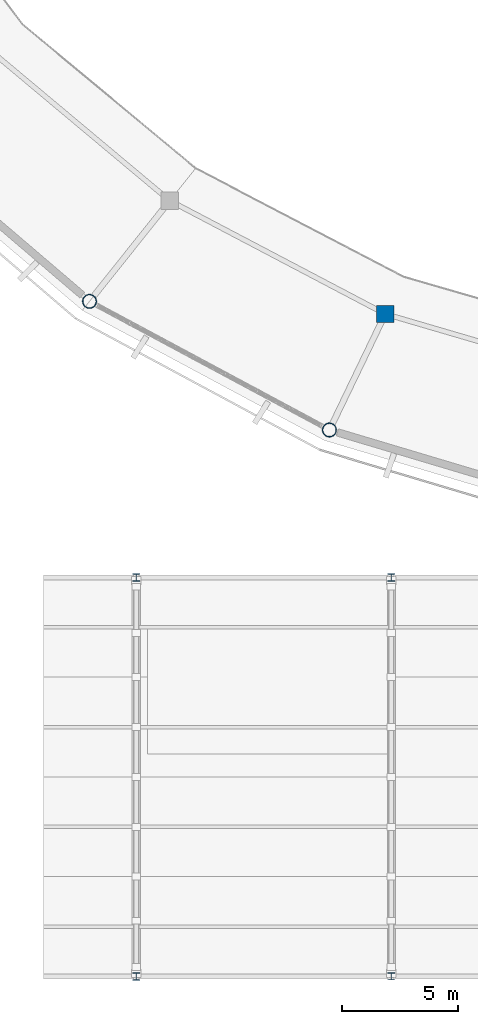
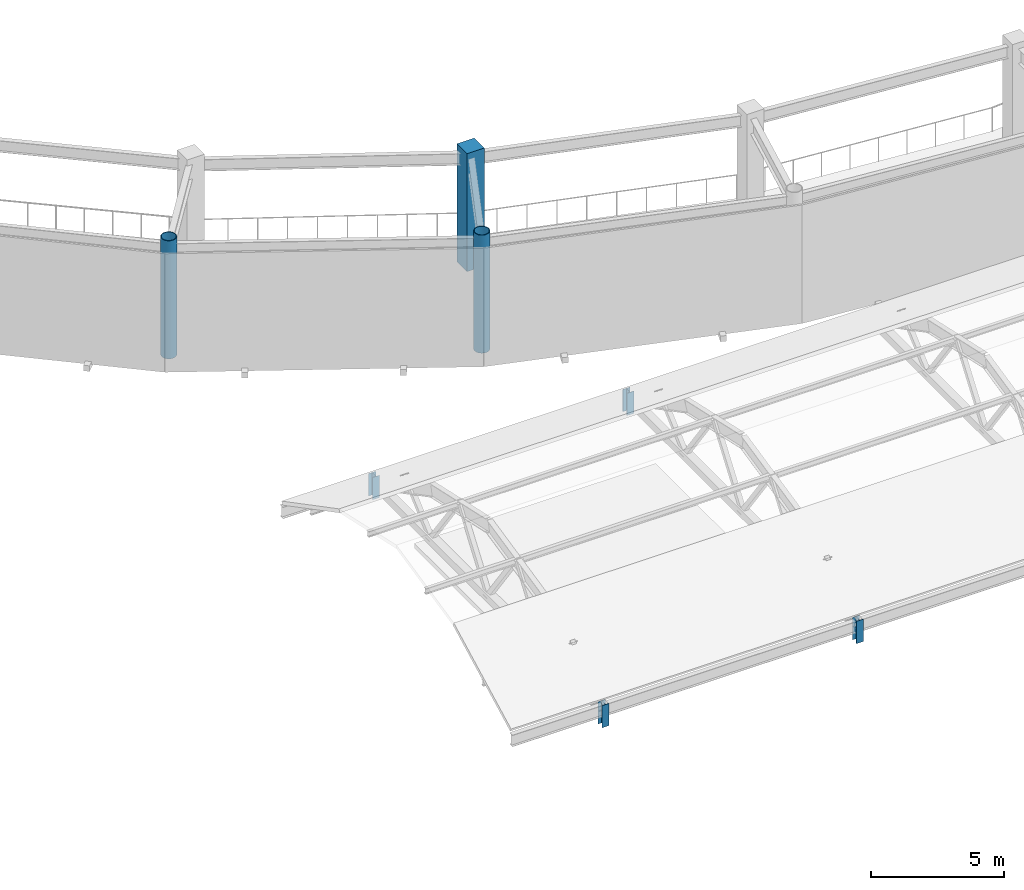
# One storey, part 2 of 70: 7 columns.
"""IFC4 building model written with IfcOpenShell, lengths in metres."""

from ifc_helpers import new_model, si_unit, direction, frame, origin, origin_2d, place, context, subcontext, project, spatial, rectangle, hollow_circle, i_section, extrude, material, material_profile, profile_set, type_object, element, save


model = new_model("IFC4")

# Units and contexts
model_context = context("Model", 3, precision=1e-05, world=origin(), true_north=direction((0.0, 1.0)))
body_context = subcontext(model_context, "Body", "Model", "MODEL_VIEW")
ifc_project = project(units=[si_unit("LENGTHUNIT", "METRE"), si_unit("AREAUNIT", "SQUARE_METRE"), si_unit("VOLUMEUNIT", "CUBIC_METRE"), si_unit("PLANEANGLEUNIT", "RADIAN"), si_unit("MASSUNIT", "GRAM", prefix="KILO")], contexts=[model_context])

# Site, building, storey
site_placement = place(None, origin())
site = spatial("IfcSite", under=ifc_project, at=site_placement, CompositionType="ELEMENT")
building_placement = place(site_placement, origin())
building = spatial("IfcBuilding", under=site, at=building_placement, Name="Cuetzalor Civic Arena", CompositionType="ELEMENT")
storey_placement = place(building_placement, frame((0.0, 0.0, 21.0)))
storey = spatial("IfcBuildingStorey", under=building, at=storey_placement, Name="L04", CompositionType="ELEMENT", Elevation=21.0)

# Columns
ifc_material_1 = material(Name="Concrete C40/50", Category="concrete")
ifc_material_profile_1 = material_profile(ifc_material_1, rectangle(XDim=0.75, YDim=0.75, at=origin_2d()), Name="RC 750x750")
ifc_profile_set_1 = profile_set([ifc_material_profile_1], Name="Concrete C40/50")
column_type_1 = type_object("IfcColumnType", Name="ConcreteColumn_750", PredefinedType="COLUMN", material=ifc_profile_set_1)
column_placement = place(storey_placement, frame((-21.26025390625, -36.939697265625, 0.0), z_axis=(0.0, 0.0, 1.0), x_axis=(1.0, 0.0, 0.0)))
element("IfcColumn", 1, at=column_placement, inside=storey, type_object=column_type_1, Name="Column V1-REC-20 L04", PredefinedType="COLUMN", context=body_context, shape_type="SweptSolid", body=[
    extrude(rectangle(XDim=0.75, YDim=0.75, at=origin_2d()), origin(), (0.0, 0.0, 1.0), 5.39990234375),
])
ifc_material_2 = material(Name="Steel S355", Category="steel")
ifc_material_profile_2 = material_profile(ifc_material_2, hollow_circle(Radius=0.304931640625, WallThickness=0.02490234375, at=origin_2d()), Name="CHS 610x25")
ifc_profile_set_2 = profile_set([ifc_material_profile_2], Name="Steel S355")
column_type_2 = type_object("IfcColumnType", Name="SteelDomePylon_CHS610", PredefinedType="COLUMN", material=ifc_profile_set_2)
for number, where, z_axis, x_axis, name in (
    (2, (-34.011474609375, -36.394287109375, 0.0), (0.0, 0.0, 1.0), (1.0, 0.0, 0.0), "Column V1-PYL-19 L04"),
    (3, (-23.66845703125, -41.940185546875, 0.0), (0.0, 0.0, 1.0), (1.0, 0.0, 0.0), "Column V1-PYL-20 L04"),
):
    element("IfcColumn", number, at=place(storey_placement, frame(where, z_axis=z_axis, x_axis=x_axis)), inside=storey, type_object=column_type_2, Name=name, PredefinedType="COLUMN", context=body_context, shape_type="SweptSolid", body=[
        extrude(hollow_circle(Radius=0.304931640625, WallThickness=0.02490234375, at=origin_2d()), origin(), (0.0, 0.0, 1.0), 5.39990234375),
    ])
ifc_material_3 = material(Name="Steel S355", Category="steel")
ifc_material_profile_3 = material_profile(ifc_material_3, i_section(OverallWidth=0.304931640625, OverallDepth=0.30810546875, WebThickness=0.010009765625, FlangeThickness=0.015380859375, at=origin_2d()), Name="W310x97")
ifc_profile_set_3 = profile_set([ifc_material_profile_3], Name="Steel S355")
column_type_3 = type_object("IfcColumnType", Name="SteelGalleryColumn_W310", PredefinedType="COLUMN", material=ifc_profile_set_3)
for number, where, z_axis, x_axis, name in (
    (4, (-32.0, -65.5, 0.0), (0.0, 0.0, 1.0), (1.0, 0.0, 0.0), "South Foyer Vault Eaves Post -32/65.5"),
    (5, (-32.0, -48.300048828125, 0.0), (0.0, 0.0, 1.0), (1.0, 0.0, 0.0), "South Foyer Vault Eaves Post -32/48.3"),
    (6, (-21.0, -65.5, 0.0), (0.0, 0.0, 1.0), (1.0, 0.0, 0.0), "South Foyer Vault Eaves Post -21/65.5"),
    (7, (-21.0, -48.300048828125, 0.0), (0.0, 0.0, 1.0), (1.0, 0.0, 0.0), "South Foyer Vault Eaves Post -21/48.3"),
):
    element("IfcColumn", number, at=place(storey_placement, frame(where, z_axis=z_axis, x_axis=x_axis)), inside=storey, type_object=column_type_3, Name=name, PredefinedType="COLUMN", context=body_context, shape_type="SweptSolid", body=[
        extrude(i_section(OverallWidth=0.304931640625, OverallDepth=0.30810546875, WebThickness=0.010009765625, FlangeThickness=0.015380859375, at=origin_2d()), origin(), (0.0, 0.0, 1.0), 1.02001953125),
    ])

save(model, "model.ifc")
